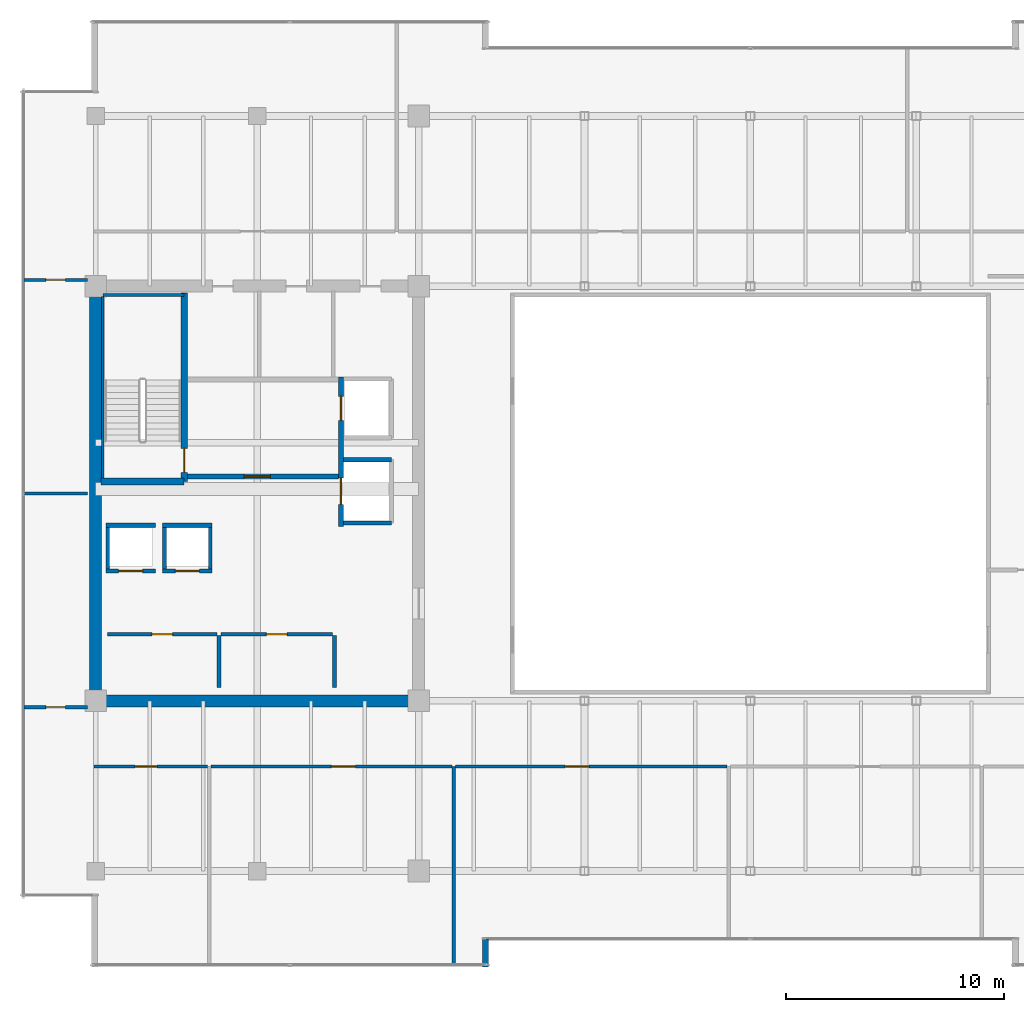
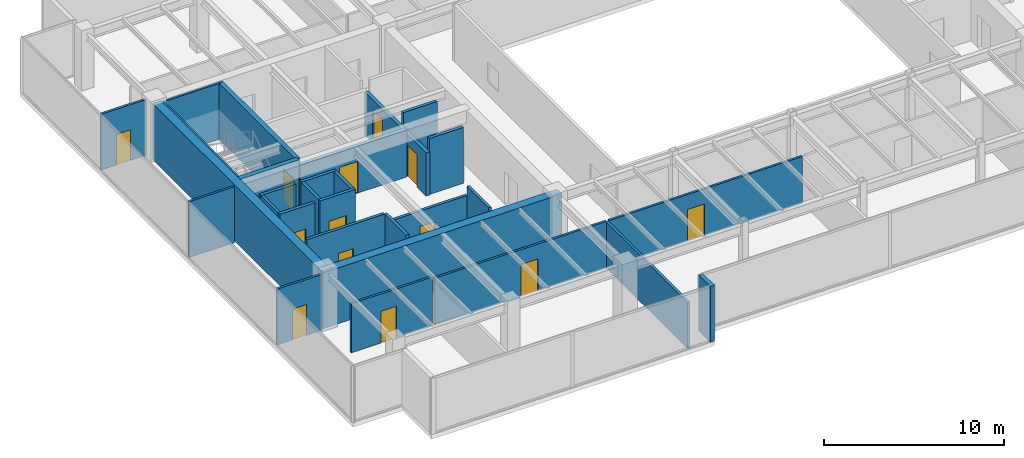
# One storey, part 28 of 33: 29 walls, 13 doors, 13 openings.
"""IFC4 building model written with IfcOpenShell, lengths in metres."""

from ifc_helpers import new_model, si_unit, direction, frame, frame_2d, origin, place, context, subcontext, project, spatial, rectangle, extrude, source, transform, mapped, material, layer, layer_set, type_object, type_shapes, element, fill, save


model = new_model("IFC4")

# Units and contexts
model_context = context("Model", 3, precision=1e-05, world=origin(), true_north=direction((0.0, 1.0)))
body_context = subcontext(model_context, "Body", "Model", "MODEL_VIEW")
ifc_project = project(units=[si_unit("LENGTHUNIT", "METRE"), si_unit("AREAUNIT", "SQUARE_METRE"), si_unit("VOLUMEUNIT", "CUBIC_METRE"), si_unit("PLANEANGLEUNIT", "RADIAN"), si_unit("MASSUNIT", "GRAM", prefix="KILO")], contexts=[model_context])

# Site, building, storey
site_placement = place(None, origin())
site = spatial("IfcSite", under=ifc_project, at=site_placement, CompositionType="ELEMENT")
building_placement = place(site_placement, origin())
building = spatial("IfcBuilding", under=site, at=building_placement, Name="Haelvirn Gate Laboratories", CompositionType="ELEMENT")
storey_placement = place(building_placement, frame((0.0, 0.0, 238.300048828125)))
storey = spatial("IfcBuildingStorey", under=building, at=storey_placement, Name="L57", CompositionType="ELEMENT", Elevation=238.300048828125)

# Walls
ifc_material_1 = material(Name="Thermally-broken bronze aluminium rainscreen & mineral wool", Category="aluminium")
ifc_layer_1 = layer(ifc_material_1, 0.280029296875, Name="EW-TERR-280")
ifc_layer_set_1 = layer_set([ifc_layer_1], Name="Thermally-broken bronze aluminium rainscreen & mineral wool")
wall_type_1 = type_object("IfcWallType", Name="EW-TERR-280", PredefinedType="STANDARD", material=ifc_layer_set_1)
wall_1_placement = place(storey_placement, frame((25.260009765625, 2.60009765625, 0.0), z_axis=(0.0, 0.0, 1.0), x_axis=(0.0, 1.0, 0.0)))
element("IfcWall", 1, at=wall_1_placement, inside=storey, type_object=wall_type_1, Name="L57 Atrium Recess Bronze Return Wall 01", PredefinedType="STANDARD", context=body_context, shape_type="SweptSolid", body=[
    extrude(rectangle(XDim=1.29296875, YDim=0.280029296875, at=frame_2d((0.646484375, 0.0))), origin(), (0.0, 0.0, 1.0), 3.800048828125),
])
ifc_material_2 = material(Name="Double-layer acoustic gypsum laboratory partition", Category="gypsum")
ifc_layer_2 = layer(ifc_material_2, 0.159912109375, Name="IW-ACOUST-160")
ifc_layer_set_2 = layer_set([ifc_layer_2], Name="Double-layer acoustic gypsum laboratory partition")
wall_type_2 = type_object("IfcWallType", Name="IW-ACOUST-160", PredefinedType="PARTITIONING", material=ifc_layer_set_2)
wall_2_placement = place(storey_placement, frame((23.800048828125, 2.7099609375, 0.0), z_axis=(0.0, 0.0, 1.0), x_axis=(0.0, 1.0, 0.0)))
element("IfcWall", 2, at=wall_2_placement, inside=storey, type_object=wall_type_2, Name="L57 Interior Wall IW-L57-SDIV-02", PredefinedType="PARTITIONING", context=body_context, shape_type="SweptSolid", body=[
    extrude(rectangle(XDim=9.080078125, YDim=0.159912109375, at=frame_2d((4.5400390625, 0.0))), origin(), (0.0, 0.0, 1.0), 3.135009765625),
])

# Wall, opening, door
ifc_material_3 = material(Name="Acoustic mineral-wool gypsum board partition", Category="gypsum")
ifc_layer_3 = layer(ifc_material_3, 0.139892578125, Name="IW-PART-140")
ifc_layer_set_3 = layer_set([ifc_layer_3], Name="Acoustic mineral-wool gypsum board partition")
wall_type_3 = type_object("IfcWallType", Name="IW-PART-140", PredefinedType="PARTITIONING", material=ifc_layer_set_3)
wall_3_placement = place(storey_placement, frame((7.31005859375, 11.7900390625, 0.0), z_axis=(0.0, 0.0, 1.0), x_axis=(1.0, 0.0, 0.0)))
wall_3 = element("IfcWall", 3, at=wall_3_placement, inside=storey, type_object=wall_type_3, Name="L57 Interior Wall IW-L57-SCORR-01", PredefinedType="PARTITIONING", context=body_context, shape_type="SweptSolid", body=[
    extrude(rectangle(XDim=5.2099609375, YDim=0.139892578125, at=frame_2d((2.60498046875, 0.0))), origin(), (0.0, 0.0, 1.0), 3.3349609375),
])
opening_1_placement = place(wall_3_placement, frame((1.894287109375, 0.0, 0.0)))
opening_1 = element("IfcOpeningElement", 4, at=opening_1_placement, cuts=wall_3, Name="Opening D2", PredefinedType="OPENING", context=body_context, shape_type="SweptSolid", body=[
    extrude(rectangle(XDim=1.0, YDim=2.14990234375, at=frame_2d((0.5, 1.074951171875))), frame((0.0, 0.080078125, 0.0), z_axis=(0.0, -1.0, 0.0), x_axis=(1.0, 0.0, 0.0)), (0.0, 0.0, 1.0), 0.159912109375),
])
ifc_material_4 = material(Name="Acoustic solid-core timber suite door", Category="wood")
door_type_1 = type_object("IfcDoorType", Name="DR-INT-1000", OperationType="NOTDEFINED", PredefinedType="DOOR", material=ifc_material_4)
shared_shape_1 = source(origin(), body_context, "Body", "SweptSolid", [
    extrude(rectangle(XDim=1.0, YDim=2.14990234375, at=frame_2d((0.5, 1.074951171875))), frame((0.0, 0.02490234375, 0.0), z_axis=(0.0, -1.0, 0.0), x_axis=(1.0, 0.0, 0.0)), (0.0, 0.0, 1.0), 0.050048828125),
])
type_shapes(door_type_1, [shared_shape_1])
door_1_placement = place(opening_1_placement, origin())
door_1 = element("IfcDoor", 5, at=door_1_placement, inside=storey, type_object=door_type_1, Name="L57 Bioinformatics Dry-Lab Workspace Door S1", OperationType="SINGLE_SWING_RIGHT", OverallHeight=2.14990234375, OverallWidth=1.0, PredefinedType="DOOR", context=body_context, shape_type="MappedRepresentation", body=[
    mapped(shared_shape_1, transform((0.0, 0.0, 0.0), scale=1.0)),
])
fill(opening_1, door_1)

wall_4_placement = place(storey_placement, frame((12.679931640625, 11.7900390625, 0.0), z_axis=(0.0, 0.0, 1.0), x_axis=(1.0, 0.0, 0.0)))
wall_4 = element("IfcWall", 6, at=wall_4_placement, inside=storey, type_object=wall_type_3, Name="L57 Interior Wall IW-L57-SCORR-02", PredefinedType="PARTITIONING", context=body_context, shape_type="SweptSolid", body=[
    extrude(rectangle(XDim=11.0400390625, YDim=0.139892578125, at=frame_2d((5.52001953125, 0.0))), origin(), (0.0, 0.0, 1.0), 3.197021484375),
])
opening_2_placement = place(wall_4_placement, frame((5.5244140625, 0.0, 0.0)))
opening_2 = element("IfcOpeningElement", 7, at=opening_2_placement, cuts=wall_4, Name="Opening D1", PredefinedType="OPENING", context=body_context, shape_type="SweptSolid", body=[
    extrude(rectangle(XDim=1.10009765625, YDim=2.179931640625, at=frame_2d((0.550048828125, 1.08984375))), frame((0.0, 0.080078125, 0.0), z_axis=(0.0, -1.0, 0.0), x_axis=(1.0, 0.0, 0.0)), (0.0, 0.0, 1.0), 0.159912109375),
])
ifc_material_5 = material(Name="Vision-panel acoustic solid-core timber lab door", Category="wood")
door_type_2 = type_object("IfcDoorType", Name="DR-LAB-1100", OperationType="NOTDEFINED", PredefinedType="DOOR", material=ifc_material_5)
shared_shape_2 = source(origin(), body_context, "Body", "SweptSolid", [
    extrude(rectangle(XDim=1.10009765625, YDim=2.179931640625, at=frame_2d((0.550048828125, 1.08984375))), frame((0.0, 0.02490234375, 0.0), z_axis=(0.0, -1.0, 0.0), x_axis=(1.0, 0.0, 0.0)), (0.0, 0.0, 1.0), 0.050048828125),
])
type_shapes(door_type_2, [shared_shape_2])
door_2_placement = place(opening_2_placement, origin())
door_2 = element("IfcDoor", 8, at=door_2_placement, inside=storey, type_object=door_type_2, Name="L57 Translational Data Office Door S2", OperationType="SINGLE_SWING_LEFT", OverallHeight=2.179931640625, OverallWidth=1.10009765625, PredefinedType="DOOR", context=body_context, shape_type="MappedRepresentation", body=[
    mapped(shared_shape_2, transform((0.0, 0.0, 0.0), scale=1.0)),
])
fill(opening_2, door_2)

wall_5_placement = place(storey_placement, frame((23.8798828125, 11.7900390625, 0.0), z_axis=(0.0, 0.0, 1.0), x_axis=(1.0, 0.0, 0.0)))
wall_5 = element("IfcWall", 9, at=wall_5_placement, inside=storey, type_object=wall_type_3, Name="L57 Interior Wall IW-L57-SCORR-03", PredefinedType="PARTITIONING", context=body_context, shape_type="SweptSolid", body=[
    extrude(rectangle(XDim=12.440185546875, YDim=0.139892578125, at=frame_2d((6.22021484375, 0.0))), origin(), (0.0, 0.0, 1.0), 3.197021484375),
])
opening_3_placement = place(wall_5_placement, frame((5.031494140625, 0.0, 0.0)))
opening_3 = element("IfcOpeningElement", 10, at=opening_3_placement, cuts=wall_5, Name="Opening D1", PredefinedType="OPENING", context=body_context, shape_type="SweptSolid", body=[
    extrude(rectangle(XDim=1.10009765625, YDim=2.179931640625, at=frame_2d((0.550048828125, 1.08984375))), frame((0.0, 0.080078125, 0.0), z_axis=(0.0, -1.0, 0.0), x_axis=(1.0, 0.0, 0.0)), (0.0, 0.0, 1.0), 0.159912109375),
])
door_3_placement = place(opening_3_placement, origin())
door_3 = element("IfcDoor", 11, at=door_3_placement, inside=storey, type_object=door_type_2, Name="L57 Peer-Review Seminar Room Door S3", OperationType="SINGLE_SWING_RIGHT", OverallHeight=2.179931640625, OverallWidth=1.10009765625, PredefinedType="DOOR", context=body_context, shape_type="MappedRepresentation", body=[
    mapped(shared_shape_2, transform((0.0, 0.0, 0.0), scale=1.0)),
])
fill(opening_3, door_3)

# Wall
wall_6_placement = place(storey_placement, frame((4.110107421875, 24.300048828125, 0.0), z_axis=(0.0, 0.0, 1.0), x_axis=(1.0, 0.0, 0.0)))
element("IfcWall", 12, at=wall_6_placement, inside=storey, type_object=wall_type_3, Name="L57 Interior Wall IW-L57-WZ3-MID", PredefinedType="PARTITIONING", context=body_context, shape_type="SweptSolid", body=[
    extrude(rectangle(XDim=2.909912109375, YDim=0.139892578125, at=frame_2d((1.455078125, 0.0))), origin(), (0.0, 0.0, 1.0), 3.800048828125),
])

# Wall, opening, door
wall_7_placement = place(storey_placement, frame((4.110107421875, 14.5048828125, 0.0), z_axis=(0.0, 0.0, 1.0), x_axis=(1.0, 0.0, 0.0)))
wall_7 = element("IfcWall", 13, at=wall_7_placement, inside=storey, type_object=wall_type_3, Name="L57 Interior Wall IW-L57-WZ3-ENT-S", PredefinedType="PARTITIONING", context=body_context, shape_type="SweptSolid", body=[
    extrude(rectangle(XDim=2.909912109375, YDim=0.139892578125, at=frame_2d((1.455078125, 0.0))), origin(), (0.0, 0.0, 1.0), 3.800048828125),
])
opening_4_placement = place(wall_7_placement, frame((1.0048828125, 0.0, 0.0)))
opening_4 = element("IfcOpeningElement", 14, at=opening_4_placement, cuts=wall_7, Name="Opening D4", PredefinedType="OPENING", context=body_context, shape_type="SweptSolid", body=[
    extrude(rectangle(XDim=0.89990234375, YDim=2.10009765625, at=frame_2d((0.449951171875, 1.050048828125))), frame((0.0, 0.080078125, 0.0), z_axis=(0.0, -1.0, 0.0), x_axis=(1.0, 0.0, 0.0)), (0.0, 0.0, 1.0), 0.159912109375),
])
ifc_material_6 = material(Name="Glazed aluminium-framed write-up door", Category="aluminium")
door_type_3 = type_object("IfcDoorType", Name="DR-OFF-900", OperationType="NOTDEFINED", PredefinedType="DOOR", material=ifc_material_6)
shared_shape_3 = source(origin(), body_context, "Body", "SweptSolid", [
    extrude(rectangle(XDim=0.89990234375, YDim=2.10009765625, at=frame_2d((0.449951171875, 1.050048828125))), frame((0.0, 0.02490234375, 0.0), z_axis=(0.0, -1.0, 0.0), x_axis=(1.0, 0.0, 0.0)), (0.0, 0.0, 1.0), 0.050048828125),
])
type_shapes(door_type_3, [shared_shape_3])
door_4_placement = place(opening_4_placement, origin())
door_4 = element("IfcDoor", 15, at=door_4_placement, inside=storey, type_object=door_type_3, Name="L57 Analytical Instrument Suite Door W-S", OperationType="SINGLE_SWING_LEFT", OverallHeight=2.10009765625, OverallWidth=0.89990234375, PredefinedType="DOOR", context=body_context, shape_type="MappedRepresentation", body=[
    mapped(shared_shape_3, transform((0.0, 0.0, 0.0), scale=1.0)),
])
fill(opening_4, door_4)

wall_8_placement = place(storey_placement, frame((4.110107421875, 34.094970703125, 0.0), z_axis=(0.0, 0.0, 1.0), x_axis=(1.0, 0.0, 0.0)))
wall_8 = element("IfcWall", 16, at=wall_8_placement, inside=storey, type_object=wall_type_3, Name="L57 Interior Wall IW-L57-WZ3-ENT-N", PredefinedType="PARTITIONING", context=body_context, shape_type="SweptSolid", body=[
    extrude(rectangle(XDim=2.909912109375, YDim=0.139892578125, at=frame_2d((1.455078125, 0.0))), origin(), (0.0, 0.0, 1.0), 3.800048828125),
])
opening_5_placement = place(wall_8_placement, frame((1.0048828125, 0.0, 0.0)))
opening_5 = element("IfcOpeningElement", 17, at=opening_5_placement, cuts=wall_8, Name="Opening D4", PredefinedType="OPENING", context=body_context, shape_type="SweptSolid", body=[
    extrude(rectangle(XDim=0.89990234375, YDim=2.10009765625, at=frame_2d((0.449951171875, 1.050048828125))), frame((0.0, 0.080078125, 0.0), z_axis=(0.0, -1.0, 0.0), x_axis=(1.0, 0.0, 0.0)), (0.0, 0.0, 1.0), 0.159912109375),
])
door_5_placement = place(opening_5_placement, origin())
door_5 = element("IfcDoor", 18, at=door_5_placement, inside=storey, type_object=door_type_3, Name="L57 Floor Hydration & Tea Servery Door W-N", OperationType="SINGLE_SWING_RIGHT", OverallHeight=2.10009765625, OverallWidth=0.89990234375, PredefinedType="DOOR", context=body_context, shape_type="MappedRepresentation", body=[
    mapped(shared_shape_3, transform((0.0, 0.0, 0.0), scale=1.0)),
])
fill(opening_5, door_5)

# Walls
ifc_material_7 = material(Name="Concrete C40/50", Category="concrete")
ifc_layer_4 = layer(ifc_material_7, 0.179931640625, Name="IW-SHAFT-180")
ifc_layer_set_4 = layer_set([ifc_layer_4], Name="Concrete C40/50")
wall_type_4 = type_object("IfcWallType", Name="IW-SHAFT-180", PredefinedType="SOLIDWALL", material=ifc_layer_set_4)
for number, where, z_axis, x_axis, name in (
    (19, (7.949951171875, 20.85009765625, 0.0), (0.0, 0.0, 1.0), (0.0, 1.0, 0.0), "L57 Interior Wall IW-L57-PL9-SD"),
    (20, (10.550048828125, 20.85009765625, 0.0), (0.0, 0.0, 1.0), (0.0, 1.0, 0.0), "L57 Interior Wall IW-L57-PL10-SD"),
    (21, (12.64990234375, 20.85009765625, 0.0), (0.0, 0.0, 1.0), (0.0, 1.0, 0.0), "L57 Interior Wall IW-L57-PL10-SDE"),
):
    element("IfcWall", number, at=place(storey_placement, frame(where, z_axis=z_axis, x_axis=x_axis)), inside=storey, type_object=wall_type_4, Name=name, PredefinedType="SOLIDWALL", context=body_context, shape_type="SweptSolid", body=[
        extrude(rectangle(XDim=1.89990234375, YDim=0.179931640625, at=frame_2d((0.949951171875, 0.0))), origin(), (0.0, 0.0, 1.0), 3.800048828125),
    ])

# Wall, opening, door
wall_9_placement = place(storey_placement, frame((7.949951171875, 17.85009765625, 0.0), z_axis=(0.0, 0.0, 1.0), x_axis=(1.0, 0.0, 0.0)))
wall_9 = element("IfcWall", 22, at=wall_9_placement, inside=storey, type_object=wall_type_4, Name="L57 Interior Wall IW-L57-W-FREED-HN-1", PredefinedType="SOLIDWALL", context=body_context, shape_type="SweptSolid", body=[
    extrude(rectangle(XDim=5.0, YDim=0.179931640625, at=frame_2d((2.5, 0.0))), origin(), (0.0, 0.0, 1.0), 3.800048828125),
])
opening_6_placement = place(wall_9_placement, frame((2.02490234375, 0.0, 0.0)))
opening_6 = element("IfcOpeningElement", 23, at=opening_6_placement, cuts=wall_9, Name="Opening FD4", PredefinedType="OPENING", context=body_context, shape_type="SweptSolid", body=[
    extrude(rectangle(XDim=0.949951171875, YDim=2.14990234375, at=frame_2d((0.47509765625, 1.074951171875))), frame((0.0, 0.10009765625, 0.0), z_axis=(0.0, -1.0, 0.0), x_axis=(1.0, 0.0, 0.0)), (0.0, 0.0, 1.0), 0.199951171875),
])
ifc_material_8 = material(Name="Fire-rated steel SM355 core service door", Category="steel")
door_type_4 = type_object("IfcDoorType", Name="DR-FD-950", OperationType="NOTDEFINED", PredefinedType="DOOR", material=ifc_material_8)
shared_shape_4 = source(origin(), body_context, "Body", "SweptSolid", [
    extrude(rectangle(XDim=0.949951171875, YDim=2.14990234375, at=frame_2d((0.47509765625, 1.074951171875))), frame((0.0, 0.02490234375, 0.0), z_axis=(0.0, -1.0, 0.0), x_axis=(1.0, 0.0, 0.0)), (0.0, 0.0, 1.0), 0.050048828125),
])
type_shapes(door_type_4, [shared_shape_4])
door_6_placement = place(opening_6_placement, origin())
door_6 = element("IfcDoor", 24, at=door_6_placement, inside=storey, type_object=door_type_4, Name="L57 Cryogenic Specimen Biobank Door", OperationType="SINGLE_SWING_LEFT", OverallHeight=2.14990234375, OverallWidth=0.949951171875, PredefinedType="DOOR", context=body_context, shape_type="MappedRepresentation", body=[
    mapped(shared_shape_4, transform((0.0, 0.0, 0.0), scale=1.0)),
])
fill(opening_6, door_6)

# Wall
wall_10_placement = place(storey_placement, frame((13.0400390625, 15.39990234375, 0.0), z_axis=(0.0, 0.0, 1.0), x_axis=(0.0, 1.0, 0.0)))
element("IfcWall", 25, at=wall_10_placement, inside=storey, type_object=wall_type_4, Name="L57 Interior Wall IW-L57-W-FREED-HE-1", PredefinedType="SOLIDWALL", context=body_context, shape_type="SweptSolid", body=[
    extrude(rectangle(XDim=2.400146484375, YDim=0.179931640625, at=frame_2d((1.2001953125, 0.0))), origin(), (0.0, 0.0, 1.0), 3.800048828125),
])

# Wall, opening, door
wall_11_placement = place(storey_placement, frame((13.14990234375, 17.85009765625, 0.0), z_axis=(0.0, 0.0, 1.0), x_axis=(1.0, 0.0, 0.0)))
wall_11 = element("IfcWall", 26, at=wall_11_placement, inside=storey, type_object=wall_type_4, Name="L57 Interior Wall IW-L57-W-FREED-HN-2", PredefinedType="SOLIDWALL", context=body_context, shape_type="SweptSolid", body=[
    extrude(rectangle(XDim=5.10009765625, YDim=0.179931640625, at=frame_2d((2.550048828125, 0.0))), origin(), (0.0, 0.0, 1.0), 3.197021484375),
])
opening_7_placement = place(wall_11_placement, frame((2.074951171875, 0.0, 0.0)))
opening_7 = element("IfcOpeningElement", 27, at=opening_7_placement, cuts=wall_11, Name="Opening FD4", PredefinedType="OPENING", context=body_context, shape_type="SweptSolid", body=[
    extrude(rectangle(XDim=0.949951171875, YDim=2.14990234375, at=frame_2d((0.47509765625, 1.074951171875))), frame((0.0, 0.10009765625, 0.0), z_axis=(0.0, -1.0, 0.0), x_axis=(1.0, 0.0, 0.0)), (0.0, 0.0, 1.0), 0.199951171875),
])
door_7_placement = place(opening_7_placement, origin())
door_7 = element("IfcDoor", 28, at=door_7_placement, inside=storey, type_object=door_type_4, Name="L57 Cryo-Assay Preparation Laboratory Door", OperationType="SINGLE_SWING_RIGHT", OverallHeight=2.14990234375, OverallWidth=0.949951171875, PredefinedType="DOOR", context=body_context, shape_type="MappedRepresentation", body=[
    mapped(shared_shape_4, transform((0.0, 0.0, 0.0), scale=1.0)),
])
fill(opening_7, door_7)

# Wall
wall_12_placement = place(storey_placement, frame((18.340087890625, 15.39990234375, 0.0), z_axis=(0.0, 0.0, 1.0), x_axis=(0.0, 1.0, 0.0)))
element("IfcWall", 29, at=wall_12_placement, inside=storey, type_object=wall_type_4, Name="L57 Interior Wall IW-L57-W-FREED-HE-2", PredefinedType="SOLIDWALL", context=body_context, shape_type="SweptSolid", body=[
    extrude(rectangle(XDim=2.400146484375, YDim=0.179931640625, at=frame_2d((1.2001953125, 0.0))), origin(), (0.0, 0.0, 1.0), 3.800048828125),
])

# Wall, opening, door
ifc_layer_5 = layer(ifc_material_7, 0.199951171875, Name="IW-SHAFT-200")
ifc_layer_set_5 = layer_set([ifc_layer_5], Name="Concrete C40/50")
wall_type_5 = type_object("IfcWallType", Name="IW-SHAFT-200", PredefinedType="SOLIDWALL", material=ifc_layer_set_5)
wall_13_placement = place(storey_placement, frame((7.8701171875, 20.75, 0.0), z_axis=(0.0, 0.0, 1.0), x_axis=(1.0, 0.0, 0.0)))
wall_13 = element("IfcWall", 30, at=wall_13_placement, inside=storey, type_object=wall_type_5, Name="L57 Interior Wall IW-L57-PL9-FR", PredefinedType="SOLIDWALL", context=body_context, shape_type="SweptSolid", body=[
    extrude(rectangle(XDim=2.259765625, YDim=0.199951171875, at=frame_2d((1.1298828125, 0.0))), origin(), (0.0, 0.0, 1.0), 3.800048828125),
])
opening_8_placement = place(wall_13_placement, frame((0.580078125, 0.0, 0.0)))
opening_8 = element("IfcOpeningElement", 31, at=opening_8_placement, cuts=wall_13, Name="Opening LD2", PredefinedType="OPENING", context=body_context, shape_type="SweptSolid", body=[
    extrude(rectangle(XDim=1.10009765625, YDim=2.219970703125, at=frame_2d((0.550048828125, 1.10986328125))), frame((0.0, 0.10986328125, 0.0), z_axis=(0.0, -1.0, 0.0), x_axis=(1.0, 0.0, 0.0)), (0.0, 0.0, 1.0), 0.219970703125),
])
ifc_material_9 = material(Name="Bronze stainless 316L sliding lift landing door")
door_type_5 = type_object("IfcDoorType", Name="DR-LD-1100", OperationType="NOTDEFINED", PredefinedType="USERDEFINED", material=ifc_material_9)
shared_shape_5 = source(origin(), body_context, "Body", "SweptSolid", [
    extrude(rectangle(XDim=1.10009765625, YDim=2.219970703125, at=frame_2d((0.550048828125, 1.10986328125))), frame((0.0, 0.02490234375, 0.0), z_axis=(0.0, -1.0, 0.0), x_axis=(1.0, 0.0, 0.0)), (0.0, 0.0, 1.0), 0.050048828125),
])
type_shapes(door_type_5, [shared_shape_5])
door_8_placement = place(opening_8_placement, origin())
door_8 = element("IfcDoor", 32, at=door_8_placement, inside=storey, type_object=door_type_5, Name="L57 Passenger Lift PL9 Landing Door", ObjectType="LANDING_DOOR", OperationType="SLIDING_TO_LEFT", OverallHeight=2.219970703125, OverallWidth=1.10009765625, PredefinedType="USERDEFINED", context=body_context, shape_type="MappedRepresentation", body=[
    mapped(shared_shape_5, transform((0.0, 0.0, 0.0), scale=1.0)),
])
fill(opening_8, door_8)

# Wall
wall_14_placement = place(storey_placement, frame((7.8701171875, 22.85009765625, 0.0), z_axis=(0.0, 0.0, 1.0), x_axis=(1.0, 0.0, 0.0)))
element("IfcWall", 33, at=wall_14_placement, inside=storey, type_object=wall_type_5, Name="L57 Interior Wall IW-L57-PL9-BK", PredefinedType="SOLIDWALL", context=body_context, shape_type="SweptSolid", body=[
    extrude(rectangle(XDim=2.259765625, YDim=0.199951171875, at=frame_2d((1.1298828125, 0.0))), origin(), (0.0, 0.0, 1.0), 3.800048828125),
])

# Wall, opening, door
wall_15_placement = place(storey_placement, frame((10.469970703125, 20.75, 0.0), z_axis=(0.0, 0.0, 1.0), x_axis=(1.0, 0.0, 0.0)))
wall_15 = element("IfcWall", 34, at=wall_15_placement, inside=storey, type_object=wall_type_5, Name="L57 Interior Wall IW-L57-PL10-FR", PredefinedType="SOLIDWALL", context=body_context, shape_type="SweptSolid", body=[
    extrude(rectangle(XDim=2.260009765625, YDim=0.199951171875, at=frame_2d((1.1298828125, 0.0))), origin(), (0.0, 0.0, 1.0), 3.800048828125),
])
opening_9_placement = place(wall_15_placement, frame((0.580078125, 0.0, 0.0)))
opening_9 = element("IfcOpeningElement", 35, at=opening_9_placement, cuts=wall_15, Name="Opening LD2", PredefinedType="OPENING", context=body_context, shape_type="SweptSolid", body=[
    extrude(rectangle(XDim=1.10009765625, YDim=2.219970703125, at=frame_2d((0.550048828125, 1.10986328125))), frame((0.0, 0.10986328125, 0.0), z_axis=(0.0, -1.0, 0.0), x_axis=(1.0, 0.0, 0.0)), (0.0, 0.0, 1.0), 0.219970703125),
])
door_9_placement = place(opening_9_placement, origin())
door_9 = element("IfcDoor", 36, at=door_9_placement, inside=storey, type_object=door_type_5, Name="L57 Passenger Lift PL10 Landing Door", ObjectType="LANDING_DOOR", OperationType="SLIDING_TO_RIGHT", OverallHeight=2.219970703125, OverallWidth=1.10009765625, PredefinedType="USERDEFINED", context=body_context, shape_type="MappedRepresentation", body=[
    mapped(shared_shape_5, transform((0.0, 0.0, 0.0), scale=1.0)),
])
fill(opening_9, door_9)

# Walls
wall_16_placement = place(storey_placement, frame((10.469970703125, 22.85009765625, 0.0), z_axis=(0.0, 0.0, 1.0), x_axis=(1.0, 0.0, 0.0)))
element("IfcWall", 37, at=wall_16_placement, inside=storey, type_object=wall_type_5, Name="L57 Interior Wall IW-L57-PL10-BK", PredefinedType="SOLIDWALL", context=body_context, shape_type="SweptSolid", body=[
    extrude(rectangle(XDim=2.260009765625, YDim=0.199951171875, at=frame_2d((1.1298828125, 0.0))), origin(), (0.0, 0.0, 1.0), 3.800048828125),
])
for number, where, z_axis, x_axis, name in (
    (38, (18.760009765625, 25.85009765625, 0.0), (0.0, 0.0, 1.0), (1.0, 0.0, 0.0), "L57 Interior Wall IW-L57-SL1-N"),
    (39, (18.760009765625, 22.949951171875, 0.0), (0.0, 0.0, 1.0), (1.0, 0.0, 0.0), "L57 Interior Wall IW-L57-SL1-S"),
):
    element("IfcWall", number, at=place(storey_placement, frame(where, z_axis=z_axis, x_axis=x_axis)), inside=storey, type_object=wall_type_5, Name=name, PredefinedType="SOLIDWALL", context=body_context, shape_type="SweptSolid", body=[
        extrude(rectangle(XDim=2.18994140625, YDim=0.199951171875, at=frame_2d((1.094970703125, 0.0))), origin(), (0.0, 0.0, 1.0), 3.800048828125),
    ])

# Wall, opening, door
ifc_layer_6 = layer(ifc_material_7, 0.239990234375, Name="IW-SHAFT-240")
ifc_layer_set_6 = layer_set([ifc_layer_6], Name="Concrete C40/50")
wall_type_6 = type_object("IfcWallType", Name="IW-SHAFT-240", PredefinedType="SOLIDWALL", material=ifc_layer_set_6)
wall_17_placement = place(storey_placement, frame((11.60009765625, 25.080078125, 0.0), z_axis=(0.0, 0.0, 1.0), x_axis=(1.0, 0.0, 0.0)))
wall_17 = element("IfcWall", 40, at=wall_17_placement, inside=storey, type_object=wall_type_6, Name="L57 Interior Wall IW-L57-W-FF-S", PredefinedType="SOLIDWALL", context=body_context, shape_type="SweptSolid", body=[
    extrude(rectangle(XDim=6.919921875, YDim=0.239990234375, at=frame_2d((3.4599609375, 0.0))), origin(), (0.0, 0.0, 1.0), 3.197021484375),
])
opening_10_placement = place(wall_17_placement, frame((2.60009765625, 0.0, 0.0)))
opening_10 = element("IfcOpeningElement", 41, at=opening_10_placement, cuts=wall_17, Name="Opening FD2", PredefinedType="OPENING", context=body_context, shape_type="SweptSolid", body=[
    extrude(rectangle(XDim=1.199951171875, YDim=2.159912109375, at=frame_2d((0.60009765625, 1.080078125))), frame((0.0, 0.1298828125, 0.0), z_axis=(0.0, -1.0, 0.0), x_axis=(1.0, 0.0, 0.0)), (0.0, 0.0, 1.0), 0.260009765625),
])
ifc_material_10 = material(Name="Fire-rated steel SM355 compartment door", Category="steel")
door_type_6 = type_object("IfcDoorType", Name="DR-FD-1200", OperationType="NOTDEFINED", PredefinedType="DOOR", material=ifc_material_10)
shared_shape_6 = source(origin(), body_context, "Body", "SweptSolid", [
    extrude(rectangle(XDim=1.199951171875, YDim=2.159912109375, at=frame_2d((0.60009765625, 1.080078125))), frame((0.0, 0.02490234375, 0.0), z_axis=(0.0, -1.0, 0.0), x_axis=(1.0, 0.0, 0.0)), (0.0, 0.0, 1.0), 0.050048828125),
])
type_shapes(door_type_6, [shared_shape_6])
door_10_placement = place(opening_10_placement, origin())
door_10 = element("IfcDoor", 42, at=door_10_placement, inside=storey, type_object=door_type_6, Name="L57 West Firefighting Lobby Door", OperationType="SINGLE_SWING_RIGHT", OverallHeight=2.159912109375, OverallWidth=1.199951171875, PredefinedType="DOOR", context=body_context, shape_type="MappedRepresentation", body=[
    mapped(shared_shape_6, transform((0.0, 0.0, 0.0), scale=1.0)),
])
fill(opening_10, door_10)

# Wall, openings, doors
wall_18_placement = place(storey_placement, frame((18.639892578125, 22.800048828125, 0.0), z_axis=(0.0, 0.0, 1.0), x_axis=(0.0, 1.0, 0.0)))
wall_18 = element("IfcWall", 43, at=wall_18_placement, inside=storey, type_object=wall_type_6, Name="L57 Interior Wall IW-L57-W-FF-E", PredefinedType="SOLIDWALL", context=body_context, shape_type="SweptSolid", body=[
    extrude(rectangle(XDim=6.849853515625, YDim=0.239990234375, at=frame_2d((3.4248046875, 0.0))), origin(), (0.0, 0.0, 1.0), 2.93505859375),
])
opening_11_placement = place(wall_18_placement, frame((4.85009765625, 0.0, 0.0)))
opening_11 = element("IfcOpeningElement", 44, at=opening_11_placement, cuts=wall_18, Name="Opening LD2", PredefinedType="OPENING", context=body_context, shape_type="SweptSolid", body=[
    extrude(rectangle(XDim=1.10009765625, YDim=2.219970703125, at=frame_2d((0.550048828125, 1.10986328125))), frame((0.0, 0.1298828125, 0.0), z_axis=(0.0, -1.0, 0.0), x_axis=(1.0, 0.0, 0.0)), (0.0, 0.0, 1.0), 0.260009765625),
])
opening_12_placement = place(wall_18_placement, frame((1.0, 0.0, 0.0)))
opening_12 = element("IfcOpeningElement", 45, at=opening_12_placement, cuts=wall_18, Name="Opening LD1", PredefinedType="OPENING", context=body_context, shape_type="SweptSolid", body=[
    extrude(rectangle(XDim=1.199951171875, YDim=2.219970703125, at=frame_2d((0.60009765625, 1.10986328125))), frame((0.0, 0.1298828125, 0.0), z_axis=(0.0, -1.0, 0.0), x_axis=(1.0, 0.0, 0.0)), (0.0, 0.0, 1.0), 0.260009765625),
])
door_11_placement = place(opening_11_placement, origin())
door_11 = element("IfcDoor", 46, at=door_11_placement, inside=storey, type_object=door_type_5, Name="L57 Firefighting Lift FL1 Landing Door", ObjectType="LANDING_DOOR", OperationType="SLIDING_TO_LEFT", OverallHeight=2.219970703125, OverallWidth=1.10009765625, PredefinedType="USERDEFINED", context=body_context, shape_type="MappedRepresentation", body=[
    mapped(shared_shape_5, transform((0.0, 0.0, 0.0), scale=1.0)),
])
fill(opening_11, door_11)
ifc_material_11 = material(Name="Stainless steel 316L sliding goods landing door", Category="steel")
door_type_7 = type_object("IfcDoorType", Name="DR-LD-1200", OperationType="NOTDEFINED", PredefinedType="USERDEFINED", material=ifc_material_11)
shared_shape_7 = source(origin(), body_context, "Body", "SweptSolid", [
    extrude(rectangle(XDim=1.199951171875, YDim=2.219970703125, at=frame_2d((0.60009765625, 1.10986328125))), frame((0.0, 0.02490234375, 0.0), z_axis=(0.0, -1.0, 0.0), x_axis=(1.0, 0.0, 0.0)), (0.0, 0.0, 1.0), 0.050048828125),
])
type_shapes(door_type_7, [shared_shape_7])
door_12_placement = place(opening_12_placement, origin())
door_12 = element("IfcDoor", 47, at=door_12_placement, inside=storey, type_object=door_type_7, Name="L57 Service Lift SL1 Landing Door", ObjectType="LANDING_DOOR", OperationType="SLIDING_TO_RIGHT", OverallHeight=2.219970703125, OverallWidth=1.199951171875, PredefinedType="USERDEFINED", context=body_context, shape_type="MappedRepresentation", body=[
    mapped(shared_shape_7, transform((0.0, 0.0, 0.0), scale=1.0)),
])
fill(opening_12, door_12)

# Walls
ifc_material_12 = material(Name="Concrete C50/60", Category="concrete")
ifc_layer_7 = layer(ifc_material_12, 0.550048828125, Name="SW-CORE-550")
ifc_layer_set_7 = layer_set([ifc_layer_7], Name="Concrete C50/60")
wall_type_7 = type_object("IfcWallType", Name="SW-CORE-550", PredefinedType="SHEAR", material=ifc_layer_set_7)
wall_19_placement = place(storey_placement, frame((7.125, 14.800048828125, 0.0), z_axis=(0.0, 0.0, 1.0), x_axis=(1.0, 0.0, 0.0)))
element("IfcWall", 48, at=wall_19_placement, inside=storey, type_object=wall_type_7, Name="L57 W Core Shear Wall S", PredefinedType="SHEAR", context=body_context, shape_type="SweptSolid", body=[
    extrude(rectangle(XDim=15.35009765625, YDim=0.550048828125, at=frame_2d((7.675048828125, 0.0))), origin(), (0.0, 0.0, 1.0), 3.800048828125),
])
wall_20_placement = place(storey_placement, frame((7.39990234375, 15.074951171875, 0.0), z_axis=(0.0, 0.0, 1.0), x_axis=(0.0, 1.0, 0.0)))
element("IfcWall", 49, at=wall_20_placement, inside=storey, type_object=wall_type_7, Name="L57 W Core Shear Wall W", PredefinedType="SHEAR", context=body_context, shape_type="SweptSolid", body=[
    extrude(rectangle(XDim=18.449951171875, YDim=0.550048828125, at=frame_2d((9.22509765625, 0.0))), origin(), (0.0, 0.0, 1.0), 3.800048828125),
])
ifc_layer_8 = layer(ifc_material_12, 0.1201171875, Name="SW-LINER-120")
ifc_layer_set_8 = layer_set([ifc_layer_8], Name="Concrete C50/60")
wall_type_8 = type_object("IfcWallType", Name="SW-LINER-120", PredefinedType="SOLIDWALL", material=ifc_layer_set_8)
wall_21_placement = place(storey_placement, frame((7.72998046875, 33.39990234375, 0.0), z_axis=(0.0, 0.0, 1.0), x_axis=(1.0, 0.0, 0.0)))
element("IfcWall", 50, at=wall_21_placement, inside=storey, type_object=wall_type_8, Name="L57 W Core Stair Shaft Liner Wall N", PredefinedType="SOLIDWALL", context=body_context, shape_type="SweptSolid", body=[
    extrude(rectangle(XDim=3.719970703125, YDim=0.1201171875, at=frame_2d((1.85986328125, 0.0))), origin(), (0.0, 0.0, 1.0), 3.800048828125),
])
wall_22_placement = place(storey_placement, frame((7.72998046875, 25.0, 0.0), z_axis=(0.0, 0.0, 1.0), x_axis=(0.0, 1.0, 0.0)))
element("IfcWall", 51, at=wall_22_placement, inside=storey, type_object=wall_type_8, Name="L57 W Core Stair Shaft Liner Wall OUT", PredefinedType="SOLIDWALL", context=body_context, shape_type="SweptSolid", body=[
    extrude(rectangle(XDim=8.320068359375, YDim=0.1201171875, at=frame_2d((4.16015625, 0.0))), origin(), (0.0, 0.0, 1.0), 3.800048828125),
])

# Wall, opening, door
ifc_layer_9 = layer(ifc_material_12, 0.300048828125, Name="SW-STAIR-300")
ifc_layer_set_9 = layer_set([ifc_layer_9], Name="Concrete C50/60")
wall_type_9 = type_object("IfcWallType", Name="SW-STAIR-300", PredefinedType="SHEAR", material=ifc_layer_set_9)
wall_23_placement = place(storey_placement, frame((11.449951171875, 24.85009765625, 0.0), z_axis=(0.0, 0.0, 1.0), x_axis=(0.0, 1.0, 0.0)))
wall_23 = element("IfcWall", 52, at=wall_23_placement, inside=storey, type_object=wall_type_9, Name="L57 W Core Stair Shaft Structural Wall IN", PredefinedType="SHEAR", context=body_context, shape_type="SweptSolid", body=[
    extrude(rectangle(XDim=8.6298828125, YDim=0.300048828125, at=frame_2d((4.31494140625, 0.0))), origin(), (0.0, 0.0, 1.0), 3.800048828125),
])
opening_13_placement = place(wall_23_placement, frame((0.419921875, 0.0, 0.0)))
opening_13 = element("IfcOpeningElement", 53, at=opening_13_placement, cuts=wall_23, Name="Opening FD3", PredefinedType="OPENING", context=body_context, shape_type="SweptSolid", body=[
    extrude(rectangle(XDim=1.10009765625, YDim=2.14990234375, at=frame_2d((0.550048828125, 1.074951171875))), frame((0.0, 0.16015625, 0.0), z_axis=(0.0, -1.0, 0.0), x_axis=(1.0, 0.0, 0.0)), (0.0, 0.0, 1.0), 0.320068359375),
])
ifc_material_13 = material(Name="Fire-rated steel SM355 escape stair door", Category="steel")
door_type_8 = type_object("IfcDoorType", Name="DR-FD-1100", OperationType="NOTDEFINED", PredefinedType="DOOR", material=ifc_material_13)
shared_shape_8 = source(origin(), body_context, "Body", "SweptSolid", [
    extrude(rectangle(XDim=1.10009765625, YDim=2.14990234375, at=frame_2d((0.550048828125, 1.074951171875))), frame((0.0, 0.02490234375, 0.0), z_axis=(0.0, -1.0, 0.0), x_axis=(1.0, 0.0, 0.0)), (0.0, 0.0, 1.0), 0.050048828125),
])
type_shapes(door_type_8, [shared_shape_8])
door_13_placement = place(opening_13_placement, origin())
door_13 = element("IfcDoor", 54, at=door_13_placement, inside=storey, type_object=door_type_8, Name="L57 Escape Stair ST1 Fire Door", OperationType="SINGLE_SWING_LEFT", OverallHeight=2.14990234375, OverallWidth=1.10009765625, PredefinedType="DOOR", context=body_context, shape_type="MappedRepresentation", body=[
    mapped(shared_shape_8, transform((0.0, 0.0, 0.0), scale=1.0)),
])
fill(opening_13, door_13)

# Wall
wall_24_placement = place(storey_placement, frame((7.64990234375, 24.85009765625, 0.0), z_axis=(0.0, 0.0, 1.0), x_axis=(1.0, 0.0, 0.0)))
element("IfcWall", 55, at=wall_24_placement, inside=storey, type_object=wall_type_9, Name="L57 W Core Stair Shaft Structural Wall S", PredefinedType="SHEAR", context=body_context, shape_type="SweptSolid", body=[
    extrude(rectangle(XDim=3.800048828125, YDim=0.300048828125, at=frame_2d((1.89990234375, 0.0))), origin(), (0.0, 0.0, 1.0), 3.800048828125),
])

save(model, "model.ifc")
